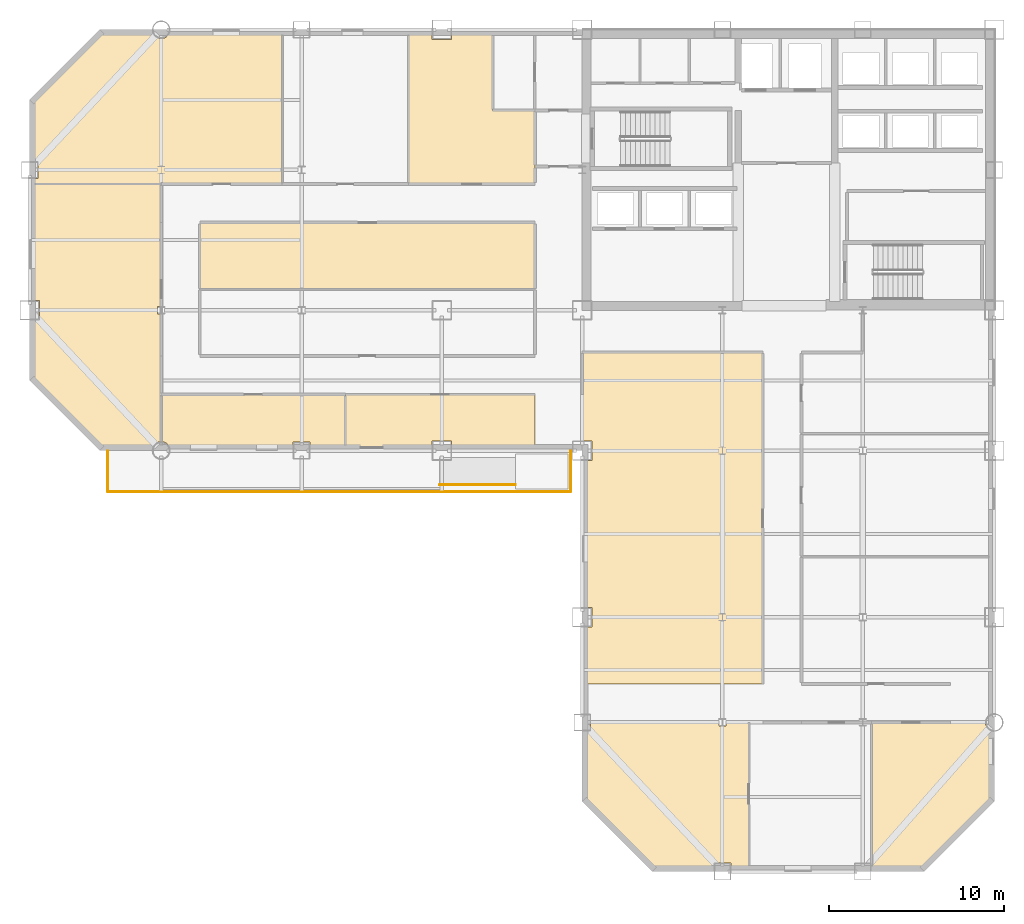
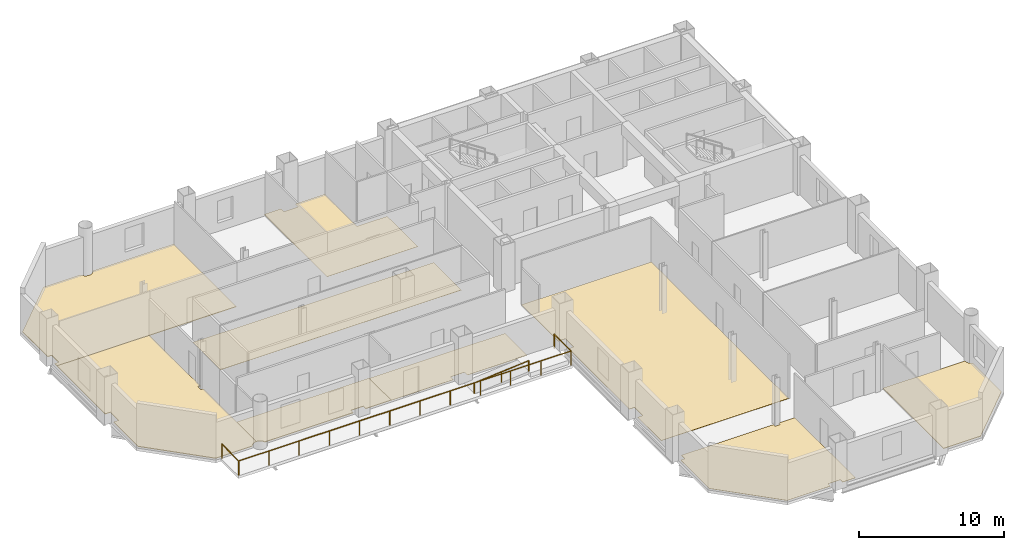
# One storey, part 9 of 10: 9 coverings, 2 railings.
"""IFC4 building model written with IfcOpenShell, lengths in metres."""

from ifc_helpers import new_model, si_unit, direction, frame, origin, origin_2d, place, context, subcontext, project, spatial, polyline, circle, outline, extrude, material, layer, layer_set, type_object, element, save


model = new_model("IFC4")

# Units and contexts
model_context = context("Model", 3, precision=1e-05, world=origin(), true_north=direction((0.0, 1.0)))
body_context = subcontext(model_context, "Body", "Model", "MODEL_VIEW")
ifc_project = project(units=[si_unit("LENGTHUNIT", "METRE"), si_unit("AREAUNIT", "SQUARE_METRE"), si_unit("VOLUMEUNIT", "CUBIC_METRE"), si_unit("PLANEANGLEUNIT", "RADIAN"), si_unit("MASSUNIT", "GRAM", prefix="KILO")], contexts=[model_context])

# Site, building, storey
site_placement = place(None, origin())
site = spatial("IfcSite", under=ifc_project, at=site_placement, CompositionType="ELEMENT")
building_placement = place(site_placement, origin())
building = spatial("IfcBuilding", under=site, at=building_placement, Name="Qianrong Seaharbour Tower", CompositionType="ELEMENT")
storey_placement = place(building_placement, frame((0.0, 0.0, 187.0)))
storey = spatial("IfcBuildingStorey", under=building, at=storey_placement, Name="L45", CompositionType="ELEMENT", Elevation=187.0)

# Coverings
ifc_material_1 = material(Name="Acoustic modular carpet tile flooring")
ifc_layer_1 = layer(ifc_material_1, 0.02001953125)
ifc_layer_set_1 = layer_set([ifc_layer_1], Name="Acoustic modular carpet tile flooring")
covering_type_1 = type_object("IfcCoveringType", Name="COV-FLOOR-CARPET-20", PredefinedType="FLOORING", material=ifc_layer_set_1)
covering_1_placement = place(storey_placement, origin())
element("IfcCovering", 1, at=covering_1_placement, inside=storey, type_object=covering_type_1, Name="L45 Boardroom 2 Finish Flooring", PredefinedType="FLOORING", context=body_context, shape_type="SweptSolid", body=[
    extrude(outline(polyline([(30.60009765625, 51.8349609375), (31.93994140625, 51.8349609375), (31.93994140625, 51.43994140625), (33.06005859375, 51.43994140625), (33.06005859375, 51.8349609375), (35.39990234375, 51.8349609375), (35.39990234375, 47.39990234375), (37.800048828125, 47.39990234375), (37.800048828125, 43.199951171875), (30.60009765625, 43.199951171875), (30.60009765625, 51.8349609375)])), origin(), (0.0, 0.0, 1.0), 0.02001953125),
])
covering_2_placement = place(storey_placement, origin())
element("IfcCovering", 2, at=covering_2_placement, inside=storey, type_object=covering_type_1, Name="L45 Arbitration Hearing Hall 2 Finish Flooring", PredefinedType="FLOORING", context=body_context, shape_type="SweptSolid", body=[
    extrude(outline(polyline([(37.800048828125, 41.0), (37.800048828125, 37.199951171875), (18.699951171875, 37.199951171875), (18.699951171875, 41.0), (37.800048828125, 41.0)])), origin(), (0.0, 0.0, 1.0), 0.02001953125),
])
covering_3_placement = place(storey_placement, origin())
element("IfcCovering", 3, at=covering_3_placement, inside=storey, type_object=covering_type_1, Name="L45 Wet Pantry 2 Finish Flooring", PredefinedType="FLOORING", context=body_context, shape_type="SweptSolid", body=[
    extrude(outline(polyline([(37.800048828125, 28.1650390625), (33.06005859375, 28.1650390625), (33.06005859375, 28.56005859375), (31.93994140625, 28.56005859375), (31.93994140625, 28.1650390625), (27.0, 28.1650390625), (27.0, 31.199951171875), (37.800048828125, 31.199951171875), (37.800048828125, 28.1650390625)])), origin(), (0.0, 0.0, 1.0), 0.02001953125),
])
covering_4_placement = place(storey_placement, origin())
element("IfcCovering", 4, at=covering_4_placement, inside=storey, type_object=covering_type_1, Name="L45 Wet Pantry Finish Flooring", PredefinedType="FLOORING", context=body_context, shape_type="SweptSolid", body=[
    extrude(outline(polyline([(50.800048828125, 14.699951171875), (40.6650390625, 14.699951171875), (40.6650390625, 17.93994140625), (41.06005859375, 17.93994140625), (41.06005859375, 19.06005859375), (40.6650390625, 19.06005859375), (40.6650390625, 27.43994140625), (41.06005859375, 27.43994140625), (41.06005859375, 28.56005859375), (40.5, 28.56005859375), (40.5, 33.60009765625), (50.800048828125, 33.60009765625), (50.800048828125, 14.699951171875)])), origin(), (0.0, 0.0, 1.0), 0.02001953125),
])
covering_5_placement = place(storey_placement, origin())
element("IfcCovering", 5, at=covering_5_placement, inside=storey, type_object=covering_type_1, Name="L45 Mediation Meeting Room 1 Finish Flooring", PredefinedType="FLOORING", context=body_context, shape_type="SweptSolid", body=[
    extrude(outline(polyline([(48.985107421875, 4.1650390625), (48.985107421875, 4.485107421875), (48.014892578125, 4.485107421875), (48.014892578125, 4.1650390625), (44.568359375, 4.1650390625), (40.6650390625, 8.068359375), (40.6650390625, 12.014892578125), (40.985107421875, 12.014892578125), (40.985107421875, 12.5), (48.2900390625, 12.5), (48.2900390625, 12.2900390625), (48.7099609375, 12.2900390625), (48.7099609375, 12.5), (50.0, 12.5), (50.0, 4.1650390625), (48.985107421875, 4.1650390625)])), origin(), (0.0, 0.0, 1.0), 0.02001953125),
])
ifc_material_2 = material(Name="Calcium-sulphate raised access floor tile")
ifc_layer_2 = layer(ifc_material_2, 0.044921875)
ifc_layer_set_2 = layer_set([ifc_layer_2], Name="Calcium-sulphate raised access floor tile")
covering_type_2 = type_object("IfcCoveringType", Name="COV-FLOOR-RAISED-45", PredefinedType="FLOORING", material=ifc_layer_set_2)
covering_6_placement = place(storey_placement, origin())
element("IfcCovering", 6, at=covering_6_placement, inside=storey, type_object=covering_type_2, Name="L45 Legal Support Open-Plan Office Finish Flooring", PredefinedType="FLOORING", context=body_context, shape_type="SweptSolid", body=[
    extrude(outline(polyline([(9.1650390625, 43.514892578125), (9.485107421875, 43.514892578125), (9.485107421875, 44.485107421875), (9.1650390625, 44.485107421875), (9.1650390625, 47.931640625), (13.068359375, 51.8349609375), (16.019775390625, 51.8349609375), (16.02880859375, 51.8046875), (16.075927734375, 51.716796875), (16.139404296875, 51.639404296875), (16.216796875, 51.575927734375), (16.3046875, 51.52880859375), (16.400390625, 51.499755859375), (16.5, 51.489990234375), (16.599609375, 51.499755859375), (16.6953125, 51.52880859375), (16.783203125, 51.575927734375), (16.860595703125, 51.639404296875), (16.924072265625, 51.716796875), (16.97119140625, 51.8046875), (16.980224609375, 51.8349609375), (23.39990234375, 51.8349609375), (23.39990234375, 43.199951171875), (9.1650390625, 43.199951171875), (9.1650390625, 43.514892578125)])), origin(), (0.0, 0.0, 1.0), 0.044921875),
])
covering_7_placement = place(storey_placement, origin())
element("IfcCovering", 7, at=covering_7_placement, inside=storey, type_object=covering_type_2, Name="L45 Registry Open-Plan Office Finish Flooring", PredefinedType="FLOORING", context=body_context, shape_type="SweptSolid", body=[
    extrude(outline(polyline([(13.068359375, 28.1650390625), (9.1650390625, 32.068359375), (9.1650390625, 35.43994140625), (9.56005859375, 35.43994140625), (9.56005859375, 36.56005859375), (9.1650390625, 36.56005859375), (9.1650390625, 43.199951171875), (16.5, 43.199951171875), (16.5, 36.2099609375), (16.2900390625, 36.2099609375), (16.2900390625, 35.7900390625), (16.5, 35.7900390625), (16.5, 28.510009765625), (16.400390625, 28.500244140625), (16.3046875, 28.47119140625), (16.216796875, 28.424072265625), (16.139404296875, 28.360595703125), (16.075927734375, 28.283203125), (16.02880859375, 28.1953125), (16.019775390625, 28.1650390625), (13.068359375, 28.1650390625)])), origin(), (0.0, 0.0, 1.0), 0.044921875),
])
covering_8_placement = place(storey_placement, origin())
element("IfcCovering", 8, at=covering_8_placement, inside=storey, type_object=covering_type_2, Name="L45 Partner Chambers Office 1 Finish Flooring", PredefinedType="FLOORING", context=body_context, shape_type="SweptSolid", body=[
    extrude(outline(polyline([(27.0, 28.1650390625), (24.985107421875, 28.1650390625), (24.985107421875, 28.485107421875), (24.014892578125, 28.485107421875), (24.014892578125, 28.1650390625), (16.980224609375, 28.1650390625), (16.97119140625, 28.1953125), (16.924072265625, 28.283203125), (16.860595703125, 28.360595703125), (16.783203125, 28.424072265625), (16.6953125, 28.47119140625), (16.599609375, 28.500244140625), (16.5, 28.510009765625), (16.5, 31.199951171875), (27.0, 31.199951171875), (27.0, 28.1650390625)])), origin(), (0.0, 0.0, 1.0), 0.044921875),
])
covering_9_placement = place(storey_placement, origin())
element("IfcCovering", 9, at=covering_9_placement, inside=storey, type_object=covering_type_2, Name="L45 Senior Partner Office 3 Finish Flooring", PredefinedType="FLOORING", context=body_context, shape_type="SweptSolid", body=[
    extrude(outline(polyline([(63.8349609375, 8.068359375), (59.931640625, 4.1650390625), (57.0, 4.1650390625), (57.0, 12.5), (63.489990234375, 12.5), (63.499755859375, 12.400390625), (63.52880859375, 12.3046875), (63.575927734375, 12.216796875), (63.639404296875, 12.139404296875), (63.716796875, 12.075927734375), (63.8046875, 12.02880859375), (63.8349609375, 12.019775390625), (63.8349609375, 8.068359375)])), origin(), (0.0, 0.0, 1.0), 0.044921875),
])

# Railings
ifc_material_3 = material(Name="Stainless steel SUS316L tubular handrail", Category="steel")
railing_type_1 = type_object("IfcRailingType", Name="RAIL-RAMP-HANDRAIL-900", PredefinedType="HANDRAIL", material=ifc_material_3)
railing_1_placement = place(storey_placement, frame((32.3798828125, 26.050048828125, 0.0)))
element("IfcRailing", 10, at=railing_1_placement, inside=storey, type_object=railing_type_1, Name="L45 Harbourfront Ribbon Ramp Handrail", PredefinedType="HANDRAIL", context=body_context, shape_type="SweptSolid", body=[
    extrude(circle(Radius=0.02392578125, at=origin_2d()), frame((0.0, 0.0, 0.8759765625), z_axis=(0.996543815979, 0.0, 0.083068783756), x_axis=(0.0, 1.0, 0.0)), (0.0, 0.0, 1.0), 4.3349609375),
    extrude(circle(Radius=0.02099609375, at=origin_2d()), origin(), (0.0, 0.0, 1.0), 0.851806640625),
    extrude(circle(Radius=0.02099609375, at=origin_2d()), frame((2.16015625, 0.0, 0.18017578125)), (0.0, 0.0, 1.0), 0.851806640625),
    extrude(circle(Radius=0.02099609375, at=origin_2d()), frame((4.320068359375, 0.0, 0.360107421875)), (0.0, 0.0, 1.0), 0.851806640625),
])
ifc_material_4 = material(Name="Stainless steel SUS316L and laminated safety glass balustrade", Category="steel")
railing_type_2 = type_object("IfcRailingType", Name="RAIL-TERRACE-GUARD-1220", PredefinedType="GUARDRAIL", material=ifc_material_4)
railing_2_placement = place(storey_placement, frame((13.4599609375, 27.97998046875, 0.0)))
element("IfcRailing", 11, at=railing_2_placement, inside=storey, type_object=railing_type_2, Name="L45 Harbourfront Ribbon Gallery Guardrail", PredefinedType="GUARDRAIL", context=body_context, shape_type="SweptSolid", body=[
    extrude(circle(Radius=0.02392578125, at=origin_2d()), frame((0.0, 0.0, 1.19580078125), z_axis=(0.0, -1.0, 0.0), x_axis=(1.0, 0.0, 0.0)), (0.0, 0.0, 1.0), 2.320068359375),
    extrude(circle(Radius=0.02392578125, at=origin_2d()), frame((0.0, -2.320068359375, 1.19580078125), z_axis=(1.0, 0.0, 0.0), x_axis=(0.0, 1.0, 0.0)), (0.0, 0.0, 1.0), 26.380126953125),
    extrude(circle(Radius=0.02392578125, at=origin_2d()), frame((26.380126953125, -2.320068359375, 1.19580078125), z_axis=(0.0, 1.0, 0.0), x_axis=(-1.0, 0.0, 0.0)), (0.0, 0.0, 1.0), 2.320068359375),
    extrude(circle(Radius=0.02099609375, at=origin_2d()), origin(), (0.0, 0.0, 1.0), 1.171875),
    extrude(circle(Radius=0.02099609375, at=origin_2d()), frame((0.0, -2.320068359375, 0.0)), (0.0, 0.0, 1.0), 1.171875),
    extrude(circle(Radius=0.02099609375, at=origin_2d()), frame((2.398193359375, -2.320068359375, 0.0)), (0.0, 0.0, 1.0), 1.171875),
    extrude(circle(Radius=0.02099609375, at=origin_2d()), frame((4.79638671875, -2.320068359375, 0.0)), (0.0, 0.0, 1.0), 1.171875),
    extrude(circle(Radius=0.02099609375, at=origin_2d()), frame((7.194580078125, -2.320068359375, 0.0)), (0.0, 0.0, 1.0), 1.171875),
    extrude(circle(Radius=0.02099609375, at=origin_2d()), frame((9.5927734375, -2.320068359375, 0.0)), (0.0, 0.0, 1.0), 1.171875),
    extrude(circle(Radius=0.02099609375, at=origin_2d()), frame((11.990966796875, -2.320068359375, 0.0)), (0.0, 0.0, 1.0), 1.171875),
    extrude(circle(Radius=0.02099609375, at=origin_2d()), frame((14.38916015625, -2.320068359375, 0.0)), (0.0, 0.0, 1.0), 1.171875),
    extrude(circle(Radius=0.02099609375, at=origin_2d()), frame((16.787353515625, -2.320068359375, 0.0)), (0.0, 0.0, 1.0), 1.171875),
    extrude(circle(Radius=0.02099609375, at=origin_2d()), frame((19.185546875, -2.320068359375, 0.0)), (0.0, 0.0, 1.0), 1.171875),
    extrude(circle(Radius=0.02099609375, at=origin_2d()), frame((21.583740234375, -2.320068359375, 0.0)), (0.0, 0.0, 1.0), 1.171875),
    extrude(circle(Radius=0.02099609375, at=origin_2d()), frame((23.98193359375, -2.320068359375, 0.0)), (0.0, 0.0, 1.0), 1.171875),
    extrude(circle(Radius=0.02099609375, at=origin_2d()), frame((26.380126953125, -2.320068359375, 0.0)), (0.0, 0.0, 1.0), 1.171875),
    extrude(circle(Radius=0.02099609375, at=origin_2d()), frame((26.380126953125, 0.0, 0.0)), (0.0, 0.0, 1.0), 1.171875),
])

save(model, "model.ifc")
